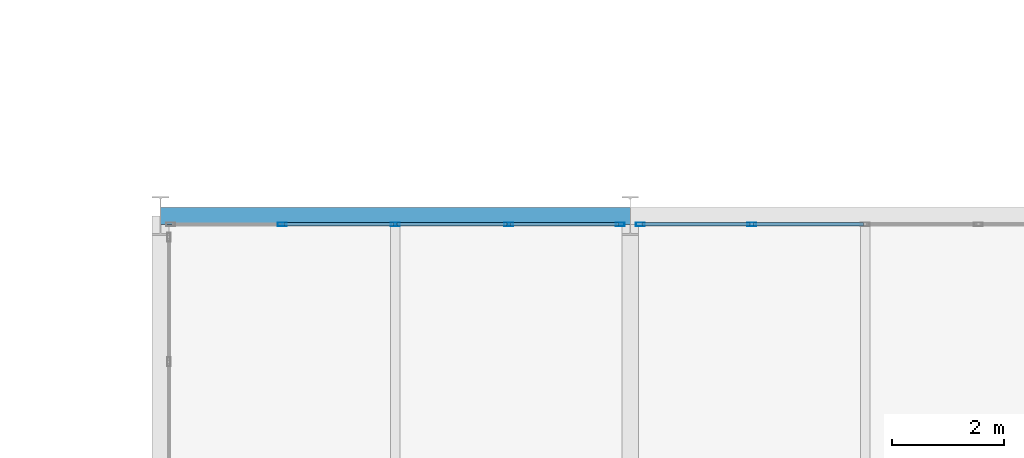
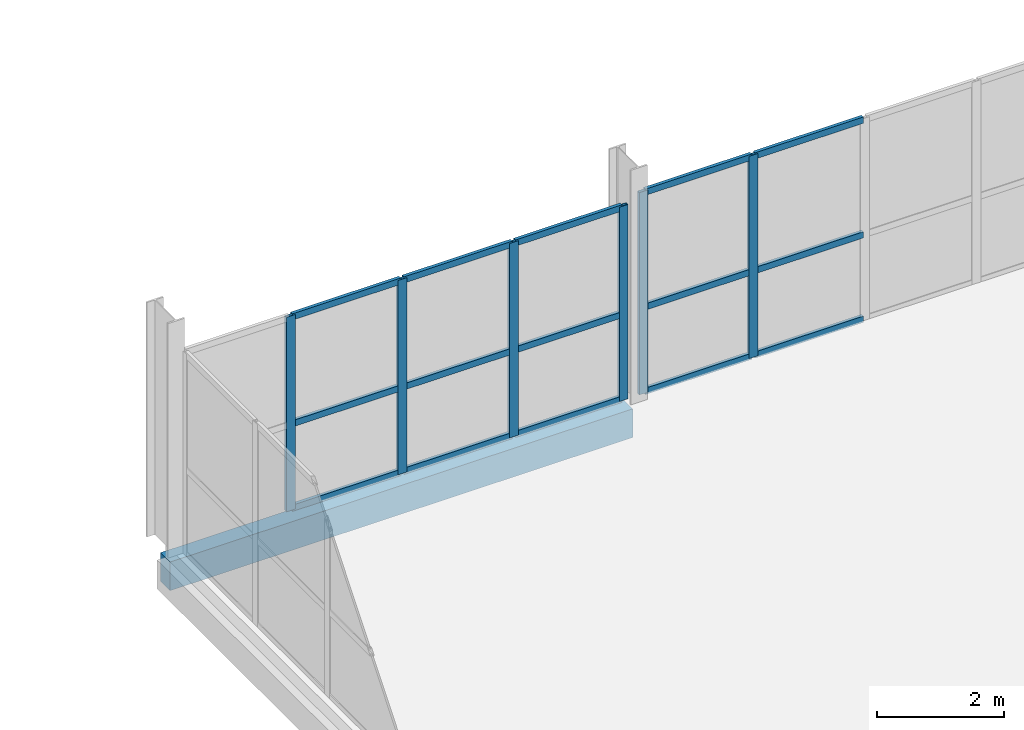
# One storey, part 82 of 113: 21 members, 1 beam, 2 elements without a shape of their own.
"""IFC4 building model written with IfcOpenShell, lengths in metres."""

from ifc_helpers import new_model, si_unit, direction, frame, origin, origin_2d, place, context, subcontext, project, spatial, rectangle, hollow_rectangle, extrude, material, material_profile, profile_set, type_object, element, aggregate, save


model = new_model("IFC4")

# Units and contexts
model_context = context("Model", 3, precision=1e-05, world=origin(), true_north=direction((0.0, 1.0)))
body_context = subcontext(model_context, "Body", "Model", "MODEL_VIEW")
ifc_project = project(units=[si_unit("LENGTHUNIT", "METRE"), si_unit("AREAUNIT", "SQUARE_METRE"), si_unit("VOLUMEUNIT", "CUBIC_METRE"), si_unit("PLANEANGLEUNIT", "RADIAN"), si_unit("MASSUNIT", "GRAM", prefix="KILO")], contexts=[model_context])

# Site, building, storey
site_placement = place(None, origin())
site = spatial("IfcSite", under=ifc_project, at=site_placement, CompositionType="ELEMENT")
building_placement = place(site_placement, origin())
building = spatial("IfcBuilding", under=site, at=building_placement, Name="Veltarok Museum of Natural Sciences", CompositionType="ELEMENT")
storey_placement = place(building_placement, frame((0.0, 0.0, 8.39990234375)))
storey = spatial("IfcBuildingStorey", under=building, at=storey_placement, Name="L01", CompositionType="ELEMENT", Elevation=8.39990234375)

# Curtain wall, members
ifc_material_1 = material(Name="Low-iron triple insulated glass", Category="glass")
curtain_wall_type_1 = type_object("IfcCurtainWallType", Name="Curtain Wall System CW-V5N-L01-3-810x373 (CW-V5N L01 810x373cm)", PredefinedType="NOTDEFINED", material=ifc_material_1)
curtain_wall_1_placement = place(storey_placement, origin())
curtain_wall_1 = element("IfcCurtainWall", 1, at=curtain_wall_1_placement, inside=storey, type_object=curtain_wall_type_1, Name="Curtain Wall CW-V5N-L01-3-810x373 CW-0199", PredefinedType="NOTDEFINED")
ifc_material_2 = material(Name="Thermally broken anodised aluminium", Category="aluminium")
ifc_material_profile_1 = material_profile(ifc_material_2, hollow_rectangle(XDim=0.06005859375, YDim=0.1201171875, WallThickness=0.0048828125, at=origin_2d()), Name="CW TRANSOM 60x120x5")
ifc_profile_set_1 = profile_set([ifc_material_profile_1], Name="Thermally broken anodised aluminium")
member_type_1 = type_object("IfcMemberType", Name="Curtain Wall Horizontal Transom 60x120x5", PredefinedType="USERDEFINED", material=ifc_profile_set_1)
member_1_placement = place(storey_placement, frame((140.590087890625, 71.85009765625, 0.028076171875), z_axis=(-1.0, 0.0, 0.0), x_axis=(0.0, -1.0, 0.0)))
member_1 = element("IfcMember", 2, at=member_1_placement, type_object=member_type_1, Name="CW-V5N-L01-3-810x373 transom 1.1", ObjectType="TRANSOM", PredefinedType="USERDEFINED", context=body_context, shape_type="SweptSolid", body=[
    extrude(hollow_rectangle(XDim=0.06005859375, YDim=0.1201171875, WallThickness=0.0048828125, at=origin_2d()), origin(), (0.0, 0.0, 1.0), 1.93505859375),
])
member_2_placement = place(storey_placement, frame((140.590087890625, 71.85009765625, 1.648193359375), z_axis=(-1.0, 0.0, 0.0), x_axis=(0.0, -1.0, 0.0)))
member_2 = element("IfcMember", 3, at=member_2_placement, type_object=member_type_1, Name="CW-V5N-L01-3-810x373 transom 1.2", ObjectType="TRANSOM", PredefinedType="USERDEFINED", context=body_context, shape_type="SweptSolid", body=[
    extrude(hollow_rectangle(XDim=0.06005859375, YDim=0.1201171875, WallThickness=0.0048828125, at=origin_2d()), origin(), (0.0, 0.0, 1.0), 1.93505859375),
])
member_3_placement = place(storey_placement, frame((140.590087890625, 71.85009765625, 3.7001953125), z_axis=(-1.0, 0.0, 0.0), x_axis=(0.0, -1.0, 0.0)))
member_3 = element("IfcMember", 4, at=member_3_placement, type_object=member_type_1, Name="CW-V5N-L01-3-810x373 transom 1.3", ObjectType="TRANSOM", PredefinedType="USERDEFINED", context=body_context, shape_type="SweptSolid", body=[
    extrude(hollow_rectangle(XDim=0.06005859375, YDim=0.1201171875, WallThickness=0.0048828125, at=origin_2d()), origin(), (0.0, 0.0, 1.0), 1.93505859375),
])
member_4_placement = place(storey_placement, frame((138.594970703125, 71.85009765625, 0.028076171875), z_axis=(-1.0, 0.0, 0.0), x_axis=(0.0, -1.0, 0.0)))
member_4 = element("IfcMember", 5, at=member_4_placement, type_object=member_type_1, Name="CW-V5N-L01-3-810x373 transom 2.1", ObjectType="TRANSOM", PredefinedType="USERDEFINED", context=body_context, shape_type="SweptSolid", body=[
    extrude(hollow_rectangle(XDim=0.06005859375, YDim=0.1201171875, WallThickness=0.0048828125, at=origin_2d()), origin(), (0.0, 0.0, 1.0), 1.965087890625),
])
member_5_placement = place(storey_placement, frame((138.594970703125, 71.85009765625, 1.648193359375), z_axis=(-1.0, 0.0, 0.0), x_axis=(0.0, -1.0, 0.0)))
member_5 = element("IfcMember", 6, at=member_5_placement, type_object=member_type_1, Name="CW-V5N-L01-3-810x373 transom 2.2", ObjectType="TRANSOM", PredefinedType="USERDEFINED", context=body_context, shape_type="SweptSolid", body=[
    extrude(hollow_rectangle(XDim=0.06005859375, YDim=0.1201171875, WallThickness=0.0048828125, at=origin_2d()), origin(), (0.0, 0.0, 1.0), 1.965087890625),
])
member_6_placement = place(storey_placement, frame((138.594970703125, 71.85009765625, 3.7001953125), z_axis=(-1.0, 0.0, 0.0), x_axis=(0.0, -1.0, 0.0)))
member_6 = element("IfcMember", 7, at=member_6_placement, type_object=member_type_1, Name="CW-V5N-L01-3-810x373 transom 2.3", ObjectType="TRANSOM", PredefinedType="USERDEFINED", context=body_context, shape_type="SweptSolid", body=[
    extrude(hollow_rectangle(XDim=0.06005859375, YDim=0.1201171875, WallThickness=0.0048828125, at=origin_2d()), origin(), (0.0, 0.0, 1.0), 1.965087890625),
])
member_7_placement = place(storey_placement, frame((136.570068359375, 71.85009765625, 0.028076171875), z_axis=(-1.0, 0.0, 0.0), x_axis=(0.0, -1.0, 0.0)))
member_7 = element("IfcMember", 8, at=member_7_placement, type_object=member_type_1, Name="CW-V5N-L01-3-810x373 transom 3.1", ObjectType="TRANSOM", PredefinedType="USERDEFINED", context=body_context, shape_type="SweptSolid", body=[
    extrude(hollow_rectangle(XDim=0.06005859375, YDim=0.1201171875, WallThickness=0.0048828125, at=origin_2d()), origin(), (0.0, 0.0, 1.0), 1.965087890625),
])
member_8_placement = place(storey_placement, frame((136.570068359375, 71.85009765625, 1.648193359375), z_axis=(-1.0, 0.0, 0.0), x_axis=(0.0, -1.0, 0.0)))
member_8 = element("IfcMember", 9, at=member_8_placement, type_object=member_type_1, Name="CW-V5N-L01-3-810x373 transom 3.2", ObjectType="TRANSOM", PredefinedType="USERDEFINED", context=body_context, shape_type="SweptSolid", body=[
    extrude(hollow_rectangle(XDim=0.06005859375, YDim=0.1201171875, WallThickness=0.0048828125, at=origin_2d()), origin(), (0.0, 0.0, 1.0), 1.965087890625),
])
member_9_placement = place(storey_placement, frame((136.570068359375, 71.85009765625, 3.7001953125), z_axis=(-1.0, 0.0, 0.0), x_axis=(0.0, -1.0, 0.0)))
member_9 = element("IfcMember", 10, at=member_9_placement, type_object=member_type_1, Name="CW-V5N-L01-3-810x373 transom 3.3", ObjectType="TRANSOM", PredefinedType="USERDEFINED", context=body_context, shape_type="SweptSolid", body=[
    extrude(hollow_rectangle(XDim=0.06005859375, YDim=0.1201171875, WallThickness=0.0048828125, at=origin_2d()), origin(), (0.0, 0.0, 1.0), 1.965087890625),
])

curtain_wall_type_2 = type_object("IfcCurtainWallType", Name="Curtain Wall System CW-V5N-L01-0-810x388 (CW-V5N L01 810x388cm)", PredefinedType="NOTDEFINED", material=ifc_material_1)
curtain_wall_2_placement = place(storey_placement, origin())
curtain_wall_2 = element("IfcCurtainWall", 11, at=curtain_wall_2_placement, inside=storey, type_object=curtain_wall_type_2, Name="Curtain Wall CW-V5N-L01-0-810x388 CW-0200", PredefinedType="NOTDEFINED")
member_10_placement = place(storey_placement, frame((144.969970703125, 71.85009765625, 0.028076171875), z_axis=(-1.0, 0.0, 0.0), x_axis=(0.0, -1.0, 0.0)))
member_10 = element("IfcMember", 12, at=member_10_placement, type_object=member_type_1, Name="CW-V5N-L01-0-810x388 transom 3.1", ObjectType="TRANSOM", PredefinedType="USERDEFINED", context=body_context, shape_type="SweptSolid", body=[
    extrude(hollow_rectangle(XDim=0.06005859375, YDim=0.1201171875, WallThickness=0.0048828125, at=origin_2d()), origin(), (0.0, 0.0, 1.0), 1.965087890625),
])
member_11_placement = place(storey_placement, frame((144.969970703125, 71.85009765625, 1.648193359375), z_axis=(-1.0, 0.0, 0.0), x_axis=(0.0, -1.0, 0.0)))
member_11 = element("IfcMember", 13, at=member_11_placement, type_object=member_type_1, Name="CW-V5N-L01-0-810x388 transom 3.2", ObjectType="TRANSOM", PredefinedType="USERDEFINED", context=body_context, shape_type="SweptSolid", body=[
    extrude(hollow_rectangle(XDim=0.06005859375, YDim=0.1201171875, WallThickness=0.0048828125, at=origin_2d()), origin(), (0.0, 0.0, 1.0), 1.965087890625),
])
member_12_placement = place(storey_placement, frame((144.969970703125, 71.85009765625, 3.85009765625), z_axis=(-1.0, 0.0, 0.0), x_axis=(0.0, -1.0, 0.0)))
member_12 = element("IfcMember", 14, at=member_12_placement, type_object=member_type_1, Name="CW-V5N-L01-0-810x388 transom 3.3", ObjectType="TRANSOM", PredefinedType="USERDEFINED", context=body_context, shape_type="SweptSolid", body=[
    extrude(hollow_rectangle(XDim=0.06005859375, YDim=0.1201171875, WallThickness=0.0048828125, at=origin_2d()), origin(), (0.0, 0.0, 1.0), 1.965087890625),
])
member_13_placement = place(storey_placement, frame((142.945068359375, 71.85009765625, 0.028076171875), z_axis=(-1.0, 0.0, 0.0), x_axis=(0.0, -1.0, 0.0)))
member_13 = element("IfcMember", 15, at=member_13_placement, type_object=member_type_1, Name="CW-V5N-L01-0-810x388 transom 4.1", ObjectType="TRANSOM", PredefinedType="USERDEFINED", context=body_context, shape_type="SweptSolid", body=[
    extrude(hollow_rectangle(XDim=0.06005859375, YDim=0.1201171875, WallThickness=0.0048828125, at=origin_2d()), origin(), (0.0, 0.0, 1.0), 1.93505859375),
])
member_14_placement = place(storey_placement, frame((142.945068359375, 71.85009765625, 1.648193359375), z_axis=(-1.0, 0.0, 0.0), x_axis=(0.0, -1.0, 0.0)))
member_14 = element("IfcMember", 16, at=member_14_placement, type_object=member_type_1, Name="CW-V5N-L01-0-810x388 transom 4.2", ObjectType="TRANSOM", PredefinedType="USERDEFINED", context=body_context, shape_type="SweptSolid", body=[
    extrude(hollow_rectangle(XDim=0.06005859375, YDim=0.1201171875, WallThickness=0.0048828125, at=origin_2d()), origin(), (0.0, 0.0, 1.0), 1.93505859375),
])
member_15_placement = place(storey_placement, frame((142.945068359375, 71.85009765625, 3.85009765625), z_axis=(-1.0, 0.0, 0.0), x_axis=(0.0, -1.0, 0.0)))
member_15 = element("IfcMember", 17, at=member_15_placement, type_object=member_type_1, Name="CW-V5N-L01-0-810x388 transom 4.3", ObjectType="TRANSOM", PredefinedType="USERDEFINED", context=body_context, shape_type="SweptSolid", body=[
    extrude(hollow_rectangle(XDim=0.06005859375, YDim=0.1201171875, WallThickness=0.0048828125, at=origin_2d()), origin(), (0.0, 0.0, 1.0), 1.93505859375),
])

# Member
ifc_material_profile_2 = material_profile(ifc_material_2, hollow_rectangle(XDim=0.06005859375, YDim=0.159912109375, WallThickness=0.0048828125, at=origin_2d()), Name="CW MULLION 60x160x5")
ifc_profile_set_2 = profile_set([ifc_material_profile_2], Name="Thermally broken anodised aluminium")
member_type_2 = type_object("IfcMemberType", Name="Curtain Wall Vertical Mullion 60x160x5", PredefinedType="MULLION", material=ifc_profile_set_2)
member_16_placement = place(storey_placement, frame((140.6201171875, 71.85009765625, -0.001953125), z_axis=(0.0, 0.0, 1.0), x_axis=(0.0, -1.0, 0.0)))
member_16 = element("IfcMember", 18, at=member_16_placement, type_object=member_type_2, Name="CW-V5N-L01-3-810x373 mullion 1", PredefinedType="MULLION", context=body_context, shape_type="SweptSolid", body=[
    extrude(hollow_rectangle(XDim=0.06005859375, YDim=0.159912109375, WallThickness=0.0048828125, at=origin_2d()), origin(), (0.0, 0.0, 1.0), 3.73193359375),
])

member_17_placement = place(storey_placement, frame((138.625, 71.85009765625, -0.001953125), z_axis=(0.0, 0.0, 1.0), x_axis=(0.0, -1.0, 0.0)))
member_17 = element("IfcMember", 19, at=member_17_placement, type_object=member_type_2, Name="CW-V5N-L01-3-810x373 mullion 2", PredefinedType="MULLION", context=body_context, shape_type="SweptSolid", body=[
    extrude(hollow_rectangle(XDim=0.06005859375, YDim=0.159912109375, WallThickness=0.0048828125, at=origin_2d()), origin(), (0.0, 0.0, 1.0), 3.73193359375),
])

member_18_placement = place(storey_placement, frame((136.60009765625, 71.85009765625, -0.001953125), z_axis=(0.0, 0.0, 1.0), x_axis=(0.0, -1.0, 0.0)))
member_18 = element("IfcMember", 20, at=member_18_placement, type_object=member_type_2, Name="CW-V5N-L01-3-810x373 mullion 3", PredefinedType="MULLION", context=body_context, shape_type="SweptSolid", body=[
    extrude(hollow_rectangle(XDim=0.06005859375, YDim=0.159912109375, WallThickness=0.0048828125, at=origin_2d()), origin(), (0.0, 0.0, 1.0), 3.73193359375),
])

member_19_placement = place(storey_placement, frame((134.574951171875, 71.85009765625, -0.001953125), z_axis=(0.0, 0.0, 1.0), x_axis=(0.0, -1.0, 0.0)))
member_19 = element("IfcMember", 21, at=member_19_placement, type_object=member_type_2, Name="CW-V5N-L01-3-810x373 mullion 4", PredefinedType="MULLION", context=body_context, shape_type="SweptSolid", body=[
    extrude(hollow_rectangle(XDim=0.06005859375, YDim=0.159912109375, WallThickness=0.0048828125, at=origin_2d()), origin(), (0.0, 0.0, 1.0), 3.73193359375),
])

aggregate(curtain_wall_1, [member_16, member_17, member_18, member_19, member_1, member_2, member_3, member_4, member_5, member_6, member_7, member_8, member_9])

member_20_placement = place(storey_placement, frame((142.97509765625, 71.85009765625, -0.001953125), z_axis=(0.0, 0.0, 1.0), x_axis=(0.0, -1.0, 0.0)))
member_20 = element("IfcMember", 22, at=member_20_placement, type_object=member_type_2, Name="CW-V5N-L01-0-810x388 mullion 4", PredefinedType="MULLION", context=body_context, shape_type="SweptSolid", body=[
    extrude(hollow_rectangle(XDim=0.06005859375, YDim=0.159912109375, WallThickness=0.0048828125, at=origin_2d()), origin(), (0.0, 0.0, 1.0), 3.882080078125),
])

member_21_placement = place(storey_placement, frame((140.97998046875, 71.85009765625, -0.001953125), z_axis=(0.0, 0.0, 1.0), x_axis=(0.0, -1.0, 0.0)))
member_21 = element("IfcMember", 23, at=member_21_placement, type_object=member_type_2, Name="CW-V5N-L01-0-810x388 mullion 5", PredefinedType="MULLION", context=body_context, shape_type="SweptSolid", body=[
    extrude(hollow_rectangle(XDim=0.06005859375, YDim=0.159912109375, WallThickness=0.0048828125, at=origin_2d()), origin(), (0.0, 0.0, 1.0), 3.882080078125),
])

aggregate(curtain_wall_2, [member_20, member_21, member_10, member_11, member_12, member_13, member_14, member_15])

# Beam
ifc_material_3 = material(Name="Precast concrete C40/50", Category="concrete")
ifc_material_profile_3 = material_profile(ifc_material_3, rectangle(XDim=0.300048828125, YDim=0.550048828125, at=origin_2d()), Name="RC 300x550")
ifc_profile_set_3 = profile_set([ifc_material_profile_3], Name="Precast concrete C40/50")
beam_type = type_object("IfcBeamType", Name="East Wing Precast Spandrel RC 300x550", PredefinedType="SPANDREL", material=ifc_profile_set_3)
beam_placement = place(storey_placement, frame((132.39990234375, 72.0, -0.52490234375), z_axis=(1.0, 0.0, 0.0), x_axis=(0.0, 1.0, 0.0)))
element("IfcBeam", 24, at=beam_placement, inside=storey, type_object=beam_type, Name="Beam BM-SP02 L01 16-17/H", PredefinedType="SPANDREL", context=body_context, shape_type="SweptSolid", body=[
    extrude(rectangle(XDim=0.300048828125, YDim=0.550048828125, at=origin_2d()), origin(), (0.0, 0.0, 1.0), 8.400146484375),
])

save(model, "model.ifc")
